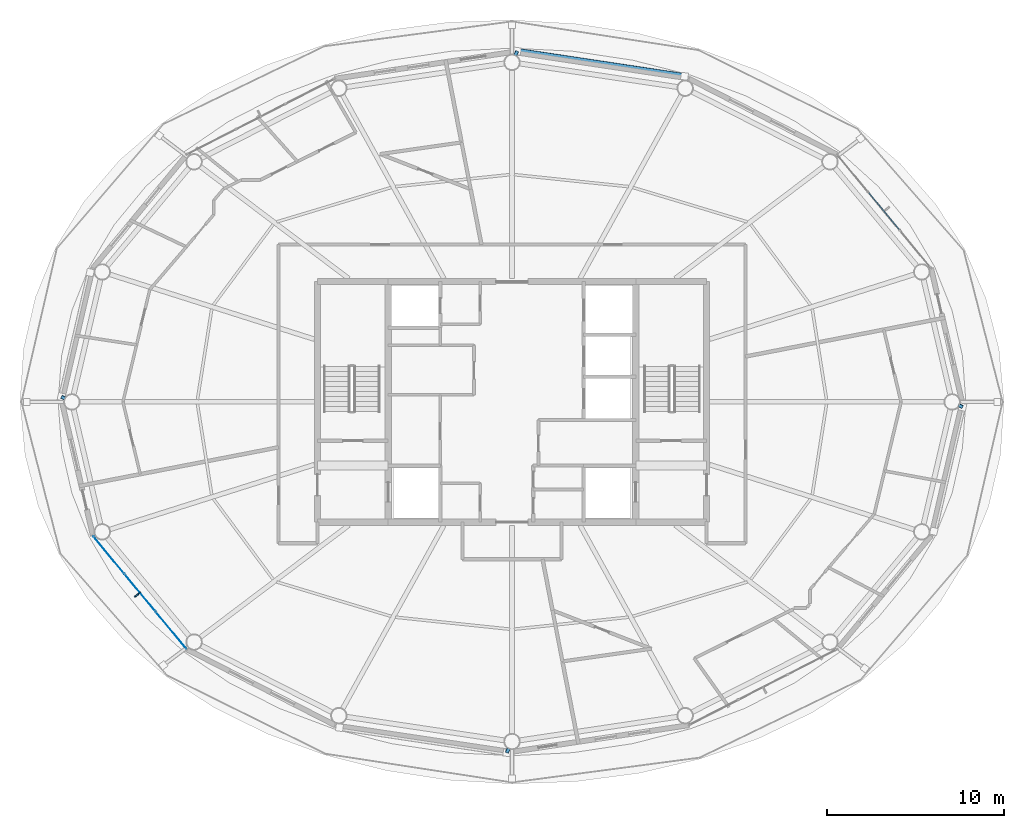
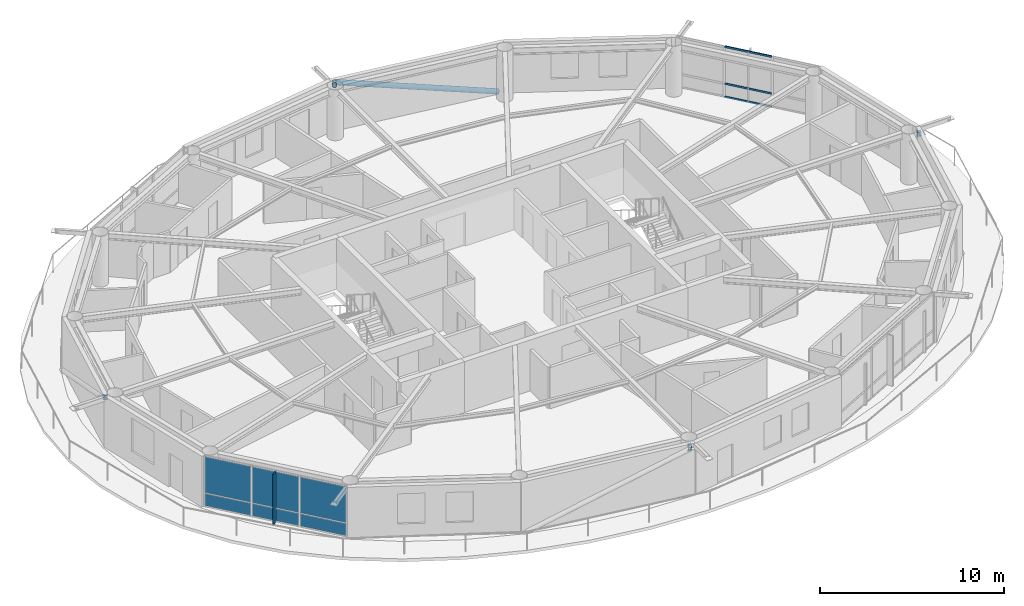
# One storey, part 12 of 21: 8 members, 7 plates, 2 elements without a shape of their own.
"""IFC4 building model written with IfcOpenShell, lengths in metres."""

import ifcopenshell
import ifcopenshell.guid

model = None  # the IFC model being written
_history = None  # IfcOwnerHistory: only IFC2X3 demands one
_inside = {}  # id of a spatial element -> (the spatial element, [elements in it])
_under = {}  # id of a project, library or spatial element -> (it, [spatial elements below it])
_declared = {}  # id of a project -> (the project, [libraries it declares])
_typed = {}  # id of a type object -> (the type object, [elements of that type])
_made_of = {}  # id of a material, layer set ... -> (it, [elements and type objects made of it])


def new_model(schema):
    """Start an empty IFC model of exactly this schema.

    Asked for "IFC4X3", IfcOpenShell would pick the latest addendum, in which some entities
    have other attributes; the version numbers below select the first issue.
    IFC2X3 requires an IfcOwnerHistory on every rooted entity: one is made here for all.
    """
    global model, _history
    if schema == "IFC4X3":
        model = ifcopenshell.file(schema_version=(4, 3, 0, 0))
    else:
        model = ifcopenshell.file(schema=schema)
    _inside.clear()
    _under.clear()
    _declared.clear()
    _typed.clear()
    _made_of.clear()
    _history = None
    if model.schema == "IFC2X3":
        org = make("IfcOrganization", Name="unknown")
        user = make(
            "IfcPersonAndOrganization",
            ThePerson=make("IfcPerson", FamilyName="unknown"),
            TheOrganization=org,
        )
        app = make(
            "IfcApplication",
            ApplicationDeveloper=org,
            Version="unknown",
            ApplicationFullName="unknown",
            ApplicationIdentifier="unknown",
        )
        _history = make(
            "IfcOwnerHistory",
            OwningUser=user,
            OwningApplication=app,
            ChangeAction="ADDED",
            CreationDate=0,
        )
    return model


def make(cls, **values):
    """One entity of the class cls with the attributes given. An attribute that is None is left unset."""
    return model.create_entity(
        cls, **{name: value for name, value in values.items() if value is not None}
    )


def rooted(cls, **values):
    """An entity with a GlobalId (a new one), such as an element, a storey or a relation."""
    return make(cls, GlobalId=ifcopenshell.guid.new(), OwnerHistory=_history, **values)


def si_unit(unit_type, name, prefix=None):
    """IfcSIUnit, for example si_unit("LENGTHUNIT", "METRE", prefix="MILLI")."""
    return make("IfcSIUnit", UnitType=unit_type, Prefix=prefix, Name=name)


def assignment(units):
    """IfcUnitAssignment: the units of a project."""
    return None if units is None else make("IfcUnitAssignment", Units=units)


def point(xyz):
    """IfcCartesianPoint."""
    return None if xyz is None else make("IfcCartesianPoint", Coordinates=xyz)


def direction(xyz):
    """IfcDirection."""
    return None if xyz is None else make("IfcDirection", DirectionRatios=xyz)


def frame(location, z_axis=None, x_axis=None):
    """IfcAxis2Placement3D, a coordinate frame: its origin and axes. An axis left out is left unset."""
    return make(
        "IfcAxis2Placement3D",
        Location=point(location),
        Axis=direction(z_axis),
        RefDirection=direction(x_axis),
    )


def frame_2d(location, x_axis=None):
    """IfcAxis2Placement2D, a coordinate frame in the plane: its origin and x axis."""
    return make(
        "IfcAxis2Placement2D", Location=point(location), RefDirection=direction(x_axis)
    )


def origin():
    """The frame at (0, 0, 0) with its axes left unset."""
    return frame((0.0, 0.0, 0.0))


def origin_2d():
    """The frame at (0, 0) in the plane with its x axis left unset."""
    return frame_2d((0.0, 0.0))


def place(relative_to, where):
    """IfcLocalPlacement: puts the frame where relative to a parent placement (None: the world)."""
    return make(
        "IfcLocalPlacement", PlacementRelTo=relative_to, RelativePlacement=where
    )


def context(
    kind, dimensions, precision=None, world=None, true_north=None, identifier=None
):
    """IfcGeometricRepresentationContext, for example the 3D "Model" context."""
    return make(
        "IfcGeometricRepresentationContext",
        ContextIdentifier=identifier,
        ContextType=kind,
        CoordinateSpaceDimension=dimensions,
        Precision=precision,
        WorldCoordinateSystem=world,
        TrueNorth=true_north,
    )


def subcontext(parent, identifier, kind, view, scale=None):
    """IfcGeometricRepresentationSubContext, for example "Body" below "Model"."""
    return make(
        "IfcGeometricRepresentationSubContext",
        ContextIdentifier=identifier,
        ContextType=kind,
        ParentContext=parent,
        TargetScale=scale,
        TargetView=view,
    )


def project(units=None, contexts=None):
    """IfcProject with its units and contexts."""
    return rooted(
        "IfcProject",
        Name="project",
        RepresentationContexts=contexts,
        UnitsInContext=assignment(units),
    )


def spatial(cls, under=None, at=None, **own):
    """A site, building, storey or space (cls), placed at a placement, below another one or the project."""
    s = rooted(cls, ObjectPlacement=at, **own)
    if under is not None:
        _under.setdefault(under.id(), (under, []))[1].append(s)
    return s


def profile(cls, at=None, kind="AREA", **sizes):
    """A parametric profile (cls). Its sizes go by their IFC names, for example OverallWidth=200.0."""
    return make(cls, ProfileType=kind, Position=at, **sizes)


def rectangle(**sizes):
    """IfcRectangleProfileDef."""
    return profile("IfcRectangleProfileDef", **sizes)


def hollow_rectangle(**sizes):
    """IfcRectangleHollowProfileDef."""
    return profile("IfcRectangleHollowProfileDef", **sizes)


def hollow_circle(**sizes):
    """IfcCircleHollowProfileDef."""
    return profile("IfcCircleHollowProfileDef", **sizes)


def extrude(swept, where, along, depth):
    """IfcExtrudedAreaSolid: the profile swept, set in the frame where, extruded along a direction by depth."""
    return make(
        "IfcExtrudedAreaSolid",
        SweptArea=swept,
        Position=where,
        ExtrudedDirection=direction(along),
        Depth=depth,
    )


def shape(context_of_items, identifier, shape_type, items):
    """IfcShapeRepresentation: the items that make up one representation, for example the "Body"."""
    return make(
        "IfcShapeRepresentation",
        ContextOfItems=context_of_items,
        RepresentationIdentifier=identifier,
        RepresentationType=shape_type,
        Items=items,
    )


def material(Name=None, Category=None):
    """IfcMaterial."""
    return make("IfcMaterial", Name=Name, Category=Category)


def layer(
    of_material, thickness, ventilated=None, Name=None, Category=None, Priority=None
):
    """IfcMaterialLayer: one layer of a wall or slab, of a material (None: an air gap)."""
    return make(
        "IfcMaterialLayer",
        Material=of_material,
        LayerThickness=thickness,
        IsVentilated=ventilated,
        Name=Name,
        Category=Category,
        Priority=Priority,
    )


def layer_set(layers, Name=None):
    """IfcMaterialLayerSet."""
    return make("IfcMaterialLayerSet", MaterialLayers=layers, LayerSetName=Name)


def material_profile(
    of_material, cross_section, Name=None, Category=None, Priority=None
):
    """IfcMaterialProfile: a cross section and its material."""
    return make(
        "IfcMaterialProfile",
        Name=Name,
        Material=of_material,
        Profile=cross_section,
        Priority=Priority,
        Category=Category,
    )


def profile_set(profiles, Name=None, composite=None):
    """IfcMaterialProfileSet."""
    return make(
        "IfcMaterialProfileSet",
        Name=Name,
        MaterialProfiles=profiles,
        CompositeProfile=composite,
    )


def made_of(thing, what):
    """Note that an element or type object is made of a material, layer set ...; save() writes the relation."""
    if what is not None:
        _made_of.setdefault(what.id(), (what, []))[1].append(thing)
    return thing


def type_object(cls, material=None, **own):
    """A type object (cls), such as IfcWallType, which elements share."""
    return made_of(rooted(cls, **own), material)


def element(
    cls,
    number,
    at=None,
    inside=None,
    cuts=None,
    type_object=None,
    material=None,
    context=None,
    identifier="Body",
    shape_type=None,
    held_by="IfcProductDefinitionShape",
    body=None,
    shapes=None,
    **own,
):
    """One element of the class cls, such as IfcWall. Its Tag is "e" and its number.

    at: its placement. inside: the storey or other place that contains it. cuts: it is an
    opening in that element (IfcRelVoidsElement). A single representation is given by context,
    identifier, shape_type and body (its items); several are given by shapes. held_by: the class
    of the entity that holds the representations. save() writes the other relations.
    """
    e = rooted(cls, Tag="e%d" % number, ObjectPlacement=at, **own)
    if body is not None:
        shapes = [shape(context, identifier, shape_type, body)]
    if shapes is not None:
        e.Representation = make(held_by, Representations=shapes)
    if inside is not None:
        _inside.setdefault(inside.id(), (inside, []))[1].append(e)
    if cuts is not None:
        rooted(
            "IfcRelVoidsElement", RelatingBuildingElement=cuts, RelatedOpeningElement=e
        )
    if type_object is not None:
        _typed.setdefault(type_object.id(), (type_object, []))[1].append(e)
    return made_of(e, material)


def aggregate(whole, parts):
    """IfcRelAggregates: a whole, such as a stair, and the parts it consists of."""
    return rooted("IfcRelAggregates", RelatingObject=whole, RelatedObjects=parts)


def save(model, path):
    """Write the relations noted so far, then the file.

    IfcRelAggregates (storeys below a building ...), IfcRelContainedInSpatialStructure (elements
    in a storey), IfcRelDefinesByType, IfcRelAssociatesMaterial and IfcRelDeclares: one each for
    every whole, place, type object, material and project.
    """
    for whole, parts in _under.values():
        aggregate(whole, parts)
    for where, things in _inside.values():
        rooted(
            "IfcRelContainedInSpatialStructure",
            RelatedElements=things,
            RelatingStructure=where,
        )
    for kind, things in _typed.values():
        rooted("IfcRelDefinesByType", RelatedObjects=things, RelatingType=kind)
    for what, things in _made_of.values():
        rooted("IfcRelAssociatesMaterial", RelatedObjects=things, RelatingMaterial=what)
    for by, libraries in _declared.values():
        rooted("IfcRelDeclares", RelatingContext=by, RelatedDefinitions=libraries)
    model.write(path)


model = new_model("IFC4")

# Units and contexts
model_context = context("Model", 3, precision=1e-05, world=origin(), true_north=direction((0.0, 1.0)))
body_context = subcontext(model_context, "Body", "Model", "MODEL_VIEW")
ifc_project = project(units=[si_unit("LENGTHUNIT", "METRE"), si_unit("AREAUNIT", "SQUARE_METRE"), si_unit("VOLUMEUNIT", "CUBIC_METRE"), si_unit("PLANEANGLEUNIT", "RADIAN"), si_unit("MASSUNIT", "GRAM", prefix="KILO")], contexts=[model_context])

# Site, building, storey
site_placement = place(None, origin())
site = spatial("IfcSite", under=ifc_project, at=site_placement, CompositionType="ELEMENT")
building_placement = place(site_placement, origin())
building = spatial("IfcBuilding", under=site, at=building_placement, Name="Sarneth Arch Tower", CompositionType="ELEMENT")
storey_placement = place(building_placement, frame((0.0, 0.0, 309.0)))
storey = spatial("IfcBuildingStorey", under=building, at=storey_placement, Name="L80", CompositionType="ELEMENT", Elevation=309.0)

# Curtain wall, members
ifc_material_1 = material(Name="Anodised aluminium Type AA25 and solar-control low-e laminated IGU", Category="aluminium")
ifc_layer_1 = layer(ifc_material_1, 0.179931640625)
ifc_layer_set_1 = layer_set([ifc_layer_1], Name="Anodised aluminium Type AA25 and solar-control low-e laminated IGU")
curtain_wall_type = type_object("IfcCurtainWallType", Name="CW-RES-HIGH", PredefinedType="NOTDEFINED", material=ifc_layer_set_1)
curtain_wall_1_placement = place(storey_placement, origin())
curtain_wall_1 = element("IfcCurtainWall", 1, at=curtain_wall_1_placement, inside=storey, type_object=curtain_wall_type, Name="L80 Unitised curtain wall facet 02", PredefinedType="NOTDEFINED")
ifc_material_2 = material(Name="Anodised Aluminium 6063-T6", Category="aluminium")
ifc_material_profile_1 = material_profile(ifc_material_2, hollow_rectangle(XDim=0.06005859375, YDim=0.1201171875, WallThickness=0.00390625, at=origin_2d()), Name="AL-TRAN-120x60x4")
ifc_profile_set_1 = profile_set([ifc_material_profile_1], Name="Anodised Aluminium 6063-T6")
member_type_1 = type_object("IfcMemberType", Name="CW-TRANSOM", PredefinedType="USERDEFINED", material=ifc_profile_set_1)
member_1_placement = place(storey_placement, frame((69.904296875, 51.731689453125, 0.030029296875), z_axis=(-0.637617371902, 0.770353222261, 0.0), x_axis=(-0.770353222261, -0.637617371902, 0.0)))
member_1 = element("IfcMember", 2, at=member_1_placement, type_object=member_type_1, Name="CW-SYS-6 transom 2.1", ObjectType="TRANSOM", PredefinedType="USERDEFINED", context=body_context, shape_type="SweptSolid", body=[
    extrude(hollow_rectangle(XDim=0.06005859375, YDim=0.1201171875, WallThickness=0.00390625, at=origin_2d()), origin(), (0.0, 0.0, 1.0), 2.716552734375),
])
member_2_placement = place(storey_placement, frame((69.904296875, 51.731689453125, 0.89990234375), z_axis=(-0.637617371902, 0.770353222261, 0.0), x_axis=(-0.770353222261, -0.637617371902, 0.0)))
member_2 = element("IfcMember", 3, at=member_2_placement, type_object=member_type_1, Name="CW-SYS-6 transom 2.2", ObjectType="TRANSOM", PredefinedType="USERDEFINED", context=body_context, shape_type="SweptSolid", body=[
    extrude(hollow_rectangle(XDim=0.06005859375, YDim=0.1201171875, WallThickness=0.00390625, at=origin_2d()), origin(), (0.0, 0.0, 1.0), 2.716552734375),
])
member_3_placement = place(storey_placement, frame((69.904296875, 51.731689453125, 3.340087890625), z_axis=(-0.637617371902, 0.770353222261, 0.0), x_axis=(-0.770353222261, -0.637617371902, 0.0)))
member_3 = element("IfcMember", 4, at=member_3_placement, type_object=member_type_1, Name="CW-SYS-6 transom 2.3", ObjectType="TRANSOM", PredefinedType="USERDEFINED", context=body_context, shape_type="SweptSolid", body=[
    extrude(hollow_rectangle(XDim=0.06005859375, YDim=0.1201171875, WallThickness=0.00390625, at=origin_2d()), origin(), (0.0, 0.0, 1.0), 2.716552734375),
])
aggregate(curtain_wall_1, [member_1, member_2, member_3])

# Members
ifc_material_3 = material(Name="Steel S355", Category="steel")
ifc_material_profile_2 = material_profile(ifc_material_3, hollow_rectangle(XDim=0.199951171875, YDim=0.300048828125, WallThickness=0.012451171875, InnerFilletRadius=0.018798828125, OuterFilletRadius=0.03125, at=origin_2d()), Name="RHS300x200x12.5")
ifc_profile_set_2 = profile_set([ifc_material_profile_2], Name="Steel S355")
member_type_2 = type_object("IfcMemberType", Name="MEM-CANT-STRUT", PredefinedType="STRUT", material=ifc_profile_set_2)
member_4_placement = place(storey_placement, frame((48.17138671875, 61.56689453125, 3.09228515625), z_axis=(0.422659932572, 0.906288354443, 0.0), x_axis=(-0.906288354443, 0.422659932572, 0.0)))
element("IfcMember", 5, at=member_4_placement, inside=storey, type_object=member_type_2, Name="L80 Exoskeleton brace node strut 04B", PredefinedType="STRUT", context=body_context, shape_type="SweptSolid", body=[
    extrude(hollow_rectangle(XDim=0.199951171875, YDim=0.300048828125, WallThickness=0.012451171875, InnerFilletRadius=0.018798828125, OuterFilletRadius=0.03125, at=origin_2d()), origin(), (0.0, 0.0, 1.0), 0.29638671875),
])
member_5_placement = place(storey_placement, frame((22.75341796875, 42.178955078125, 3.09228515625), z_axis=(-0.897077765426, 0.441872699743, 0.0), x_axis=(-0.441872699743, -0.897077765426, 0.0)))
element("IfcMember", 6, at=member_5_placement, inside=storey, type_object=member_type_2, Name="L80 Exoskeleton brace node strut 08B", PredefinedType="STRUT", context=body_context, shape_type="SweptSolid", body=[
    extrude(hollow_rectangle(XDim=0.199951171875, YDim=0.300048828125, WallThickness=0.012451171875, InnerFilletRadius=0.018798828125, OuterFilletRadius=0.03125, at=origin_2d()), origin(), (0.0, 0.0, 1.0), 0.25634765625),
])
member_6_placement = place(storey_placement, frame((47.82861328125, 22.43310546875, 3.09228515625), z_axis=(-0.422659932572, -0.906288354443, 0.0), x_axis=(0.906288354443, -0.422659932572, 0.0)))
element("IfcMember", 7, at=member_6_placement, inside=storey, type_object=member_type_2, Name="L80 Exoskeleton brace node strut 12B", PredefinedType="STRUT", context=body_context, shape_type="SweptSolid", body=[
    extrude(hollow_rectangle(XDim=0.199951171875, YDim=0.300048828125, WallThickness=0.012451171875, InnerFilletRadius=0.018798828125, OuterFilletRadius=0.03125, at=origin_2d()), origin(), (0.0, 0.0, 1.0), 0.29638671875),
])
member_7_placement = place(storey_placement, frame((73.24658203125, 41.821044921875, 3.09228515625), z_axis=(0.897077765426, -0.441872699743, 0.0), x_axis=(0.441872699743, 0.897077765426, 0.0)))
element("IfcMember", 8, at=member_7_placement, inside=storey, type_object=member_type_2, Name="L80 Exoskeleton brace node strut 16B", PredefinedType="STRUT", context=body_context, shape_type="SweptSolid", body=[
    extrude(hollow_rectangle(XDim=0.199951171875, YDim=0.300048828125, WallThickness=0.012451171875, InnerFilletRadius=0.018798828125, OuterFilletRadius=0.03125, at=origin_2d()), origin(), (0.0, 0.0, 1.0), 0.25634765625),
])
ifc_material_4 = material(Name="Steel S355", Category="steel")
ifc_material_profile_3 = material_profile(ifc_material_4, hollow_circle(Radius=0.162109375, WallThickness=0.012451171875, at=origin_2d()), Name="CHS324x12.5")
ifc_profile_set_3 = profile_set([ifc_material_profile_3], Name="Steel S355")
member_type_3 = type_object("IfcMemberType", Name="MEM-DIAG-BR3", PredefinedType="BRACE", material=ifc_profile_set_3)
member_8_placement = place(storey_placement, frame((57.754150390625, 60.411376953125, 0.02001953125), z_axis=(-0.941471055877, 0.141762627625, 0.305835917372), x_axis=(-0.148897148305, -0.988852688335, 0.0)))
element("IfcMember", 9, at=member_8_placement, inside=storey, type_object=member_type_3, Name="L80 Perimeter frame diagonal 04", PredefinedType="BRACE", context=body_context, shape_type="SweptSolid", body=[
    extrude(hollow_circle(Radius=0.162109375, WallThickness=0.012451171875, at=origin_2d()), origin(), (0.0, 0.0, 1.0), 10.04541015625),
])

# Curtain wall, plates
curtain_wall_2_placement = place(storey_placement, origin())
curtain_wall_2 = element("IfcCurtainWall", 10, at=curtain_wall_2_placement, inside=storey, type_object=curtain_wall_type, Name="L80 Unitised curtain wall facet 10", PredefinedType="NOTDEFINED")
ifc_material_5 = material(Name="Solar-control low-e laminated IGU", Category="glass")
ifc_layer_2 = layer(ifc_material_5, 0.028076171875)
ifc_layer_set_2 = layer_set([ifc_layer_2], Name="Solar-control low-e laminated IGU")
plate_type_1 = type_object("IfcPlateType", Name="CW-PANEL", PredefinedType="CURTAIN_PANEL", material=ifc_layer_set_2)
plate_1_placement = place(storey_placement, frame((25.200927734375, 33.349365234375, 0.06005859375), z_axis=(0.0, 0.0, 1.0), x_axis=(0.637610094184, -0.770359245933, 0.0)))
plate_1 = element("IfcPlate", 11, at=plate_1_placement, type_object=plate_type_1, Name="Curtain wall glazed vision pane CW-L80-F10/P00-00", PredefinedType="CURTAIN_PANEL", context=body_context, shape_type="SweptSolid", body=[
    extrude(rectangle(XDim=2.686767578125, YDim=0.028076171875, at=origin_2d()), origin(), (0.0, 0.0, 1.0), 0.81005859375),
])
plate_2_placement = place(storey_placement, frame((25.200927734375, 33.349365234375, 0.93017578125), z_axis=(0.0, 0.0, 1.0), x_axis=(0.637610094184, -0.770359245933, 0.0)))
plate_2 = element("IfcPlate", 12, at=plate_2_placement, type_object=plate_type_1, Name="Curtain wall glazed vision pane CW-L80-F10/P00-01", PredefinedType="CURTAIN_PANEL", context=body_context, shape_type="SweptSolid", body=[
    extrude(rectangle(XDim=2.686767578125, YDim=0.028076171875, at=origin_2d()), origin(), (0.0, 0.0, 1.0), 2.3798828125),
])
plate_3_placement = place(storey_placement, frame((26.9619140625, 31.221923828125, 0.06005859375), z_axis=(0.0, 0.0, 1.0), x_axis=(0.637610094184, -0.770359245933, 0.0)))
plate_3 = element("IfcPlate", 13, at=plate_3_placement, type_object=plate_type_1, Name="Curtain wall glazed vision pane CW-L80-F10/P01-00", PredefinedType="CURTAIN_PANEL", context=body_context, shape_type="SweptSolid", body=[
    extrude(rectangle(XDim=2.716552734375, YDim=0.028076171875, at=origin_2d()), origin(), (0.0, 0.0, 1.0), 0.81005859375),
])
plate_4_placement = place(storey_placement, frame((26.9619140625, 31.221923828125, 0.93017578125), z_axis=(0.0, 0.0, 1.0), x_axis=(0.637610094184, -0.770359245933, 0.0)))
plate_4 = element("IfcPlate", 14, at=plate_4_placement, type_object=plate_type_1, Name="Curtain wall glazed vision pane CW-L80-F10/P01-01", PredefinedType="CURTAIN_PANEL", context=body_context, shape_type="SweptSolid", body=[
    extrude(rectangle(XDim=2.716552734375, YDim=0.028076171875, at=origin_2d()), origin(), (0.0, 0.0, 1.0), 2.3798828125),
])
plate_5_placement = place(storey_placement, frame((28.72265625, 29.094482421875, 0.06005859375), z_axis=(0.0, 0.0, 1.0), x_axis=(0.637610094184, -0.770359245933, 0.0)))
plate_5 = element("IfcPlate", 15, at=plate_5_placement, type_object=plate_type_1, Name="Curtain wall glazed vision pane CW-L80-F10/P02-00", PredefinedType="CURTAIN_PANEL", context=body_context, shape_type="SweptSolid", body=[
    extrude(rectangle(XDim=2.686767578125, YDim=0.028076171875, at=origin_2d()), origin(), (0.0, 0.0, 1.0), 0.81005859375),
])
plate_6_placement = place(storey_placement, frame((28.72265625, 29.094482421875, 0.93017578125), z_axis=(0.0, 0.0, 1.0), x_axis=(0.637610094184, -0.770359245933, 0.0)))
plate_6 = element("IfcPlate", 16, at=plate_6_placement, type_object=plate_type_1, Name="Curtain wall glazed vision pane CW-L80-F10/P02-01", PredefinedType="CURTAIN_PANEL", context=body_context, shape_type="SweptSolid", body=[
    extrude(rectangle(XDim=2.686767578125, YDim=0.028076171875, at=origin_2d()), origin(), (0.0, 0.0, 1.0), 2.3798828125),
])
aggregate(curtain_wall_2, [plate_1, plate_2, plate_3, plate_4, plate_5, plate_6])

# Plate
ifc_material_6 = material(Name="Extruded glazed terracotta baguette fin on Aluminium 6063-T6 carrier", Category="masonry")
ifc_layer_3 = layer(ifc_material_6, 0.080078125)
ifc_layer_set_3 = layer_set([ifc_layer_3], Name="Extruded glazed terracotta baguette fin on Aluminium 6063-T6 carrier")
plate_type_2 = type_object("IfcPlateType", Name="SHADE-TERRA-FIN", PredefinedType="SHEET", material=ifc_layer_set_3)
plate_7_placement = place(storey_placement, frame((26.830810546875, 31.113525390625, 0.010009765625), z_axis=(0.0, 0.0, 1.0), x_axis=(-0.770401979567, -0.63755845997, 0.0)))
element("IfcPlate", 17, at=plate_7_placement, inside=storey, type_object=plate_type_2, Name="L80 Terracotta vertical shading fin 10", PredefinedType="SHEET", context=body_context, shape_type="SweptSolid", body=[
    extrude(rectangle(XDim=0.419921875, YDim=0.080078125, at=origin_2d()), origin(), (0.0, 0.0, 1.0), 3.35009765625),
])

save(model, "model.ifc")
